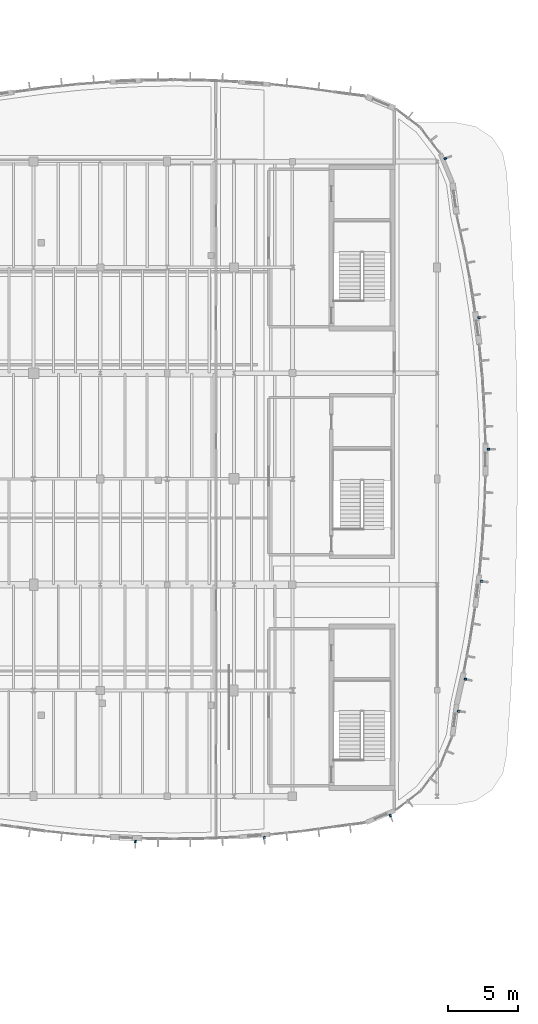
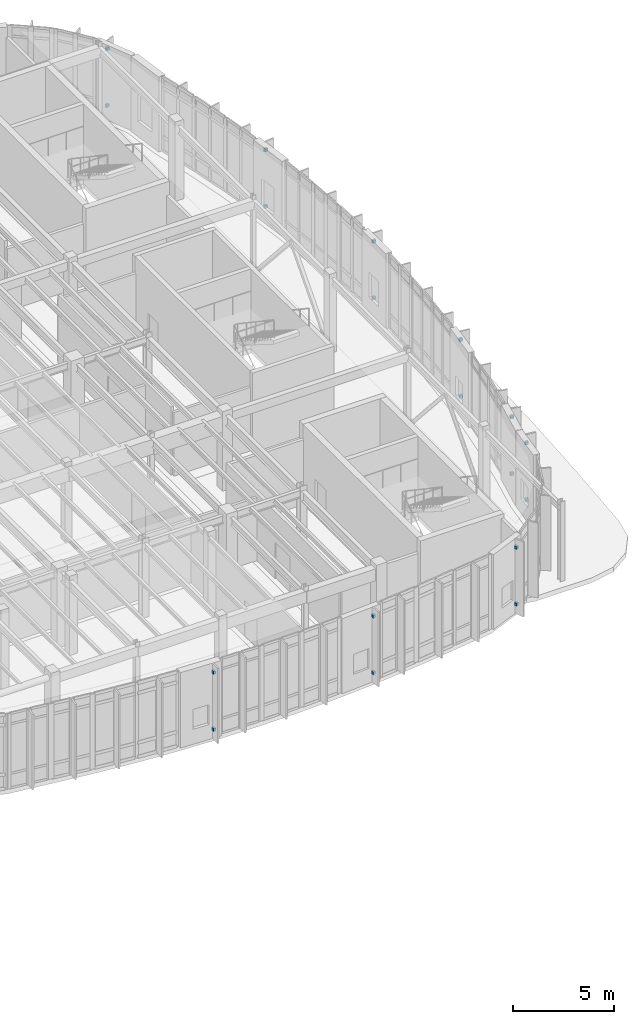
# One storey, part 102 of 120: 18 discrete accessories.
"""IFC4 building model written with IfcOpenShell, lengths in metres."""

from ifc_helpers import new_model, si_unit, direction, frame, origin, origin_2d, place, context, subcontext, project, spatial, rectangle, extrude, material, type_object, element, save


model = new_model("IFC4")

# Units and contexts
model_context = context("Model", 3, precision=1e-05, world=origin(), true_north=direction((0.0, 1.0)))
body_context = subcontext(model_context, "Body", "Model", "MODEL_VIEW")
ifc_project = project(units=[si_unit("LENGTHUNIT", "METRE"), si_unit("AREAUNIT", "SQUARE_METRE"), si_unit("VOLUMEUNIT", "CUBIC_METRE"), si_unit("PLANEANGLEUNIT", "RADIAN"), si_unit("MASSUNIT", "GRAM", prefix="KILO")], contexts=[model_context])

# Site, building, storey
site_placement = place(None, origin())
site = spatial("IfcSite", under=ifc_project, at=site_placement, CompositionType="ELEMENT")
building_placement = place(site_placement, origin())
building = spatial("IfcBuilding", under=site, at=building_placement, Name="Corveleigh Park Community Centre", CompositionType="ELEMENT")
storey_placement = place(building_placement, origin())
storey = spatial("IfcBuildingStorey", under=building, at=storey_placement, Name="L00", CompositionType="ELEMENT", Elevation=0.0)

# Discrete accessories
ifc_material = material(Name="Stainless steel 316 balustrade", Category="steel")
discrete_accessory_type = type_object("IfcDiscreteAccessoryType", Name="ACC-BRK-STL", PredefinedType="BRACKET", material=ifc_material)
for number, where, z_axis, x_axis, name in (
    (1, (146.720947265625, 55.341064453125, 0.5), (0.0, 0.0, 1.0), (-0.045843359805, -0.998948640502, 0.0), "Fin fixing bracket lower"),
    (2, (146.720947265625, 55.341064453125, 3.93701171875), (0.0, 0.0, 1.0), (-0.045843359805, -0.998948640502, 0.0), "Fin fixing bracket upper"),
    (3, (155.97412109375, 55.615966796875, 0.5), (0.0, 0.0, 1.0), (0.075527958586, -0.997143684467, 0.0), "Fin fixing bracket lower"),
    (4, (155.97412109375, 55.615966796875, 3.912109375), (0.0, 0.0, 1.0), (0.075527958586, -0.997143684467, 0.0), "Fin fixing bracket upper"),
    (5, (165.031005859375, 57.2099609375, 0.5), (0.0, 0.0, 1.0), (0.383024346152, -0.923738247695, 0.0), "Fin fixing bracket lower"),
    (6, (165.031005859375, 57.2099609375, 3.912109375), (0.0, 0.0, 1.0), (0.383024346152, -0.923738247695, 0.0), "Fin fixing bracket upper"),
    (7, (169.947021484375, 64.7109375, 0.5), (0.0, 0.0, 1.0), (0.991428562913, -0.13064993165, 0.0), "Fin fixing bracket lower"),
    (8, (169.947021484375, 64.7109375, 3.927001953125), (0.0, 0.0, 1.0), (0.991428562913, -0.13064993165, 0.0), "Fin fixing bracket upper"),
    (9, (170.431884765625, 67.014892578125, 0.5), (0.0, 0.0, 1.0), (0.975753455878, -0.218872550452, 0.0), "Fin fixing bracket lower"),
    (10, (170.431884765625, 67.014892578125, 3.927001953125), (0.0, 0.0, 1.0), (0.975753455878, -0.218872550452, 0.0), "Fin fixing bracket upper"),
    (11, (171.58203125, 74.044921875, 0.5), (0.0, 0.0, 1.0), (0.992040478554, -0.125919374639, 0.0), "Fin fixing bracket lower"),
    (12, (171.58203125, 74.044921875, 3.912109375), (0.0, 0.0, 1.0), (0.992040478554, -0.125919374639, 0.0), "Fin fixing bracket upper"),
    (13, (172.097900390625, 83.52490234375, 0.5), (0.0, 0.0, 1.0), (1.0, 0.0, 0.0), "Fin fixing bracket lower"),
    (14, (172.097900390625, 83.52490234375, 3.912109375), (0.0, 0.0, 1.0), (1.0, 0.0, 0.0), "Fin fixing bracket upper"),
    (15, (171.4189453125, 92.9970703125, 0.5), (0.0, 0.0, 1.0), (0.992040478554, 0.125919374639, 0.0), "Fin fixing bracket lower"),
    (16, (171.4189453125, 92.9970703125, 3.912109375), (0.0, 0.0, 1.0), (0.992040478554, 0.125919374639, 0.0), "Fin fixing bracket upper"),
    (17, (168.98095703125, 104.427001953125, 0.5), (0.0, 0.0, 1.0), (0.923738247695, 0.383024346152, 0.0), "Fin fixing bracket lower"),
    (18, (168.98095703125, 104.427001953125, 3.912109375), (0.0, 0.0, 1.0), (0.923738247695, 0.383024346152, 0.0), "Fin fixing bracket upper"),
):
    element("IfcDiscreteAccessory", number, at=place(storey_placement, frame(where, z_axis=z_axis, x_axis=x_axis)), inside=storey, type_object=discrete_accessory_type, Name=name, PredefinedType="BRACKET", context=body_context, shape_type="SweptSolid", body=[
        extrude(rectangle(XDim=0.179931640625, YDim=0.139892578125, at=origin_2d()), origin(), (0.0, 0.0, 1.0), 0.169921875),
    ])

save(model, "model.ifc")
